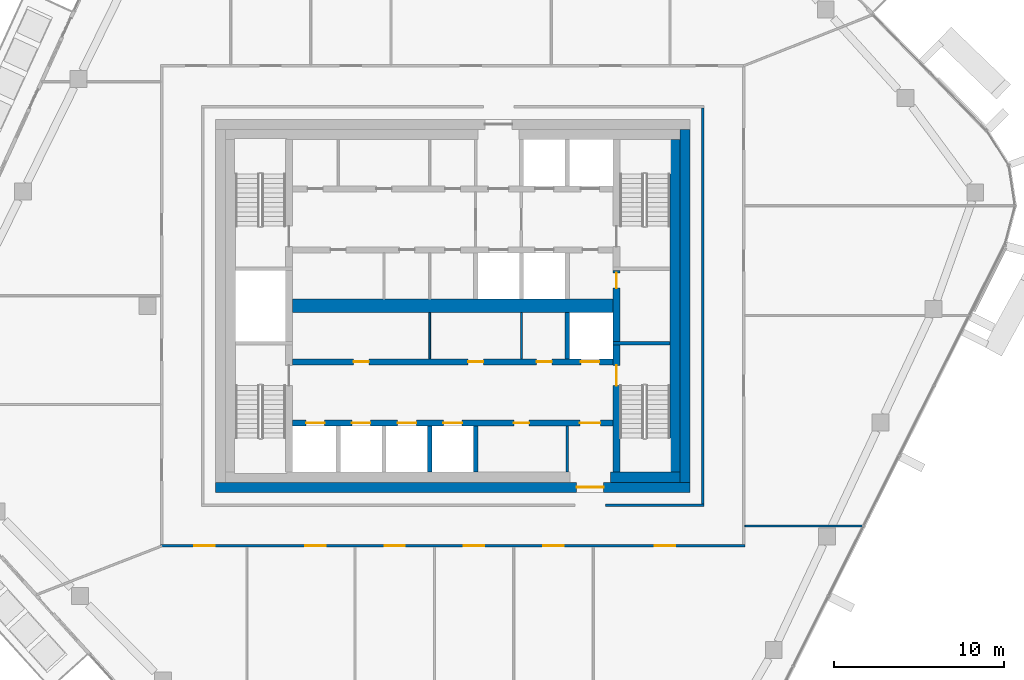
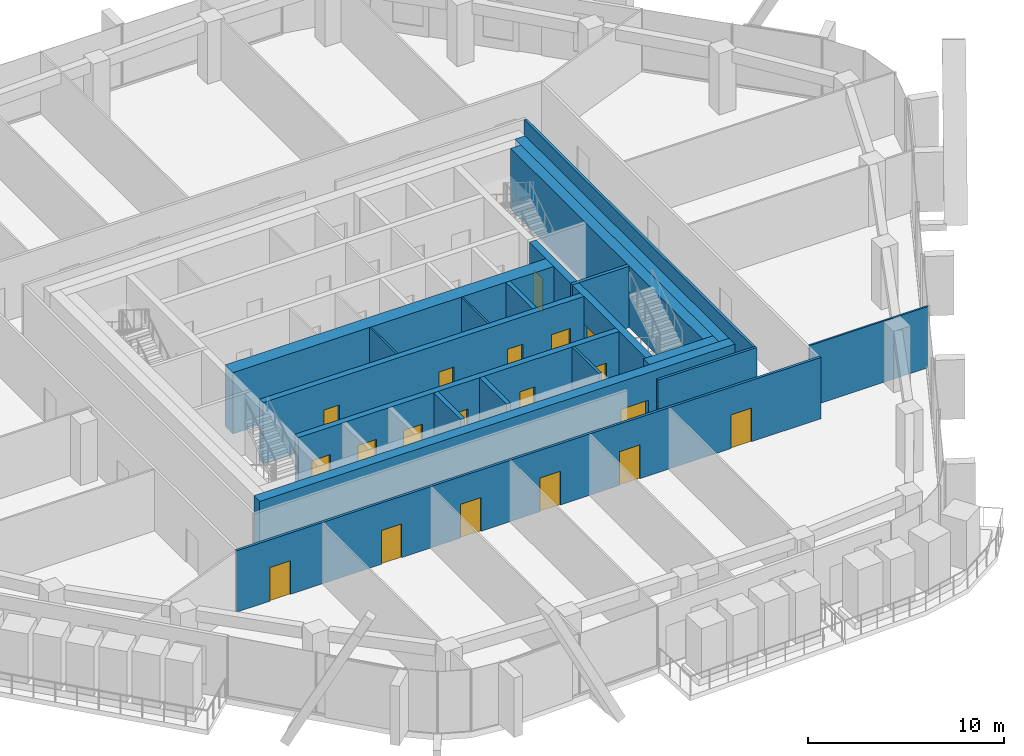
# One storey, part 14 of 24: 20 walls, 19 doors, 19 openings.
"""IFC4 building model written with IfcOpenShell, lengths in metres."""

from ifc_helpers import new_model, si_unit, direction, frame, frame_2d, origin, place, context, subcontext, project, spatial, rectangle, extrude, material, layer, layer_set, type_object, element, fill, save


model = new_model("IFC4")

# Units and contexts
model_context = context("Model", 3, precision=1e-05, world=origin(), true_north=direction((0.0, 1.0)))
body_context = subcontext(model_context, "Body", "Model", "MODEL_VIEW")
ifc_project = project(units=[si_unit("LENGTHUNIT", "METRE"), si_unit("AREAUNIT", "SQUARE_METRE"), si_unit("VOLUMEUNIT", "CUBIC_METRE"), si_unit("PLANEANGLEUNIT", "RADIAN"), si_unit("MASSUNIT", "GRAM", prefix="KILO")], contexts=[model_context])

# Site, building, storey
site_placement = place(None, origin())
site = spatial("IfcSite", under=ifc_project, at=site_placement, CompositionType="ELEMENT")
building_placement = place(site_placement, origin())
building = spatial("IfcBuilding", under=site, at=building_placement, Name="Dongbaek Canopy Tower", CompositionType="ELEMENT")
storey_placement = place(building_placement, frame((0.0, 0.0, 311.0)))
storey = spatial("IfcBuildingStorey", under=building, at=storey_placement, Name="L66", CompositionType="ELEMENT", Elevation=311.0)

# Wall
ifc_material_1 = material(Name="Concrete C60/75", Category="concrete")
ifc_layer_1 = layer(ifc_material_1, 0.800048828125)
ifc_layer_set_1 = layer_set([ifc_layer_1], Name="Core central wall 800 Concrete C60/75")
wall_type_1 = type_object("IfcWallType", Name="Core central wall 800 Concrete C60/75", PredefinedType="SHEAR", material=ifc_layer_set_1)
wall_1_placement = place(storey_placement, frame((-9.449951171875, 0.0, 0.0), z_axis=(0.0, 0.0, 1.0), x_axis=(1.0, 0.0, 0.0)))
element("IfcWall", 1, at=wall_1_placement, inside=storey, type_object=wall_type_1, Name="Core wall", PredefinedType="SHEAR", context=body_context, shape_type="SweptSolid", body=[
    extrude(rectangle(XDim=18.89990234375, YDim=0.800048828125, at=frame_2d((9.449951171875, 0.0))), origin(), (0.0, 0.0, 1.0), 3.820068359375),
])

# Wall, openings, doors
ifc_material_2 = material(Name="Concrete C60/75", Category="concrete")
ifc_layer_2 = layer(ifc_material_2, 0.35009765625)
ifc_layer_set_2 = layer_set([ifc_layer_2], Name="Core lobby wall 350 Concrete C60/75")
wall_type_2 = type_object("IfcWallType", Name="Core lobby wall 350 Concrete C60/75", PredefinedType="SHEAR", material=ifc_layer_set_2)
wall_2_placement = place(storey_placement, frame((-9.449951171875, -3.300048828125, 0.0), z_axis=(0.0, 0.0, 1.0), x_axis=(1.0, 0.0, 0.0)))
wall_2 = element("IfcWall", 2, at=wall_2_placement, inside=storey, type_object=wall_type_2, Name="Core wall", PredefinedType="SHEAR", context=body_context, shape_type="SweptSolid", body=[
    extrude(rectangle(XDim=18.89990234375, YDim=0.35009765625, at=frame_2d((9.449951171875, 0.0))), origin(), (0.0, 0.0, 1.0), 3.820068359375),
])
opening_1_placement = place(wall_2_placement, frame((17.0, 0.0, 0.0)))
opening_1 = element("IfcOpeningElement", 3, at=opening_1_placement, cuts=wall_2, Name="Opening L66-D027", PredefinedType="OPENING", context=body_context, shape_type="SweptSolid", body=[
    extrude(rectangle(XDim=1.10009765625, YDim=2.10009765625, at=frame_2d((0.550048828125, 1.050048828125))), frame((0.0, 0.18505859375, 0.0), z_axis=(0.0, -1.0, 0.0), x_axis=(1.0, 0.0, 0.0)), (0.0, 0.0, 1.0), 0.3701171875),
])
opening_2_placement = place(wall_2_placement, frame((3.60009765625, 0.0, 0.0)))
opening_2 = element("IfcOpeningElement", 4, at=opening_2_placement, cuts=wall_2, Name="Opening L66-D040", PredefinedType="OPENING", context=body_context, shape_type="SweptSolid", body=[
    extrude(rectangle(XDim=0.89990234375, YDim=2.10009765625, at=frame_2d((0.449951171875, 1.050048828125))), frame((0.0, 0.18505859375, 0.0), z_axis=(0.0, -1.0, 0.0), x_axis=(1.0, 0.0, 0.0)), (0.0, 0.0, 1.0), 0.3701171875),
])
opening_3_placement = place(wall_2_placement, frame((10.35009765625, 0.0, 0.0)))
opening_3 = element("IfcOpeningElement", 5, at=opening_3_placement, cuts=wall_2, Name="Opening L66-D041", PredefinedType="OPENING", context=body_context, shape_type="SweptSolid", body=[
    extrude(rectangle(XDim=0.89990234375, YDim=2.10009765625, at=frame_2d((0.449951171875, 1.050048828125))), frame((0.0, 0.18505859375, 0.0), z_axis=(0.0, -1.0, 0.0), x_axis=(1.0, 0.0, 0.0)), (0.0, 0.0, 1.0), 0.3701171875),
])
opening_4_placement = place(wall_2_placement, frame((14.39990234375, 0.0, 0.0)))
opening_4 = element("IfcOpeningElement", 6, at=opening_4_placement, cuts=wall_2, Name="Opening L66-D042", PredefinedType="OPENING", context=body_context, shape_type="SweptSolid", body=[
    extrude(rectangle(XDim=0.89990234375, YDim=2.10009765625, at=frame_2d((0.449951171875, 1.050048828125))), frame((0.0, 0.18505859375, 0.0), z_axis=(0.0, -1.0, 0.0), x_axis=(1.0, 0.0, 0.0)), (0.0, 0.0, 1.0), 0.3701171875),
])
ifc_material_3 = material(Name="Steel", Category="steel")
door_type_1 = type_object("IfcDoorType", Name="Core room door 900 x 2100", OperationType="SINGLE_SWING_LEFT", PredefinedType="DOOR", material=ifc_material_3)
door_1_placement = place(opening_2_placement, origin())
door_1 = element("IfcDoor", 7, at=door_1_placement, inside=storey, type_object=door_type_1, Name="Door L66-D040", OperationType="SINGLE_SWING_RIGHT", OverallHeight=2.10009765625, OverallWidth=0.89990234375, PredefinedType="DOOR", context=body_context, shape_type="SweptSolid", body=[
    extrude(rectangle(XDim=0.89990234375, YDim=2.10009765625, at=frame_2d((0.449951171875, 1.050048828125))), frame((0.0, 0.02490234375, 0.0), z_axis=(0.0, -1.0, 0.0), x_axis=(1.0, 0.0, 0.0)), (0.0, 0.0, 1.0), 0.050048828125),
])
fill(opening_2, door_1)
door_2_placement = place(opening_3_placement, origin())
door_2 = element("IfcDoor", 8, at=door_2_placement, inside=storey, type_object=door_type_1, Name="Door L66-D041", OperationType="SINGLE_SWING_LEFT", OverallHeight=2.10009765625, OverallWidth=0.89990234375, PredefinedType="DOOR", context=body_context, shape_type="SweptSolid", body=[
    extrude(rectangle(XDim=0.89990234375, YDim=2.10009765625, at=frame_2d((0.449951171875, 1.050048828125))), frame((0.0, 0.02490234375, 0.0), z_axis=(0.0, -1.0, 0.0), x_axis=(1.0, 0.0, 0.0)), (0.0, 0.0, 1.0), 0.050048828125),
])
fill(opening_3, door_2)
door_3_placement = place(opening_4_placement, origin())
door_3 = element("IfcDoor", 9, at=door_3_placement, inside=storey, type_object=door_type_1, Name="Door L66-D042", OperationType="SINGLE_SWING_RIGHT", OverallHeight=2.10009765625, OverallWidth=0.89990234375, PredefinedType="DOOR", context=body_context, shape_type="SweptSolid", body=[
    extrude(rectangle(XDim=0.89990234375, YDim=2.10009765625, at=frame_2d((0.449951171875, 1.050048828125))), frame((0.0, 0.02490234375, 0.0), z_axis=(0.0, -1.0, 0.0), x_axis=(1.0, 0.0, 0.0)), (0.0, 0.0, 1.0), 0.050048828125),
])
fill(opening_4, door_3)
ifc_material_4 = material(Name="Stainless steel", Category="steel")
door_type_2 = type_object("IfcDoorType", Name="Lift landing door 1100 x 2100", OperationType="DOUBLE_DOOR_SLIDING", PredefinedType="DOOR", material=ifc_material_4)
door_4_placement = place(opening_1_placement, origin())
door_4 = element("IfcDoor", 10, at=door_4_placement, inside=storey, type_object=door_type_2, Name="Landing door SV2", OperationType="DOUBLE_DOOR_SLIDING", OverallHeight=2.10009765625, OverallWidth=1.10009765625, PredefinedType="DOOR", context=body_context, shape_type="SweptSolid", body=[
    extrude(rectangle(XDim=1.10009765625, YDim=2.10009765625, at=frame_2d((0.550048828125, 1.050048828125))), frame((0.0, 0.02490234375, 0.0), z_axis=(0.0, -1.0, 0.0), x_axis=(1.0, 0.0, 0.0)), (0.0, 0.0, 1.0), 0.050048828125),
])
fill(opening_1, door_4)

wall_3_placement = place(storey_placement, frame((9.449951171875, -6.89990234375, 0.0), z_axis=(0.0, 0.0, 1.0), x_axis=(-1.0, 0.0, 0.0)))
wall_3 = element("IfcWall", 11, at=wall_3_placement, inside=storey, type_object=wall_type_2, Name="Core wall", PredefinedType="SHEAR", context=body_context, shape_type="SweptSolid", body=[
    extrude(rectangle(XDim=18.89990234375, YDim=0.35009765625, at=frame_2d((9.449951171875, 0.0))), origin(), (0.0, 0.0, 1.0), 3.820068359375),
])
opening_5_placement = place(wall_3_placement, frame((17.0, 0.0, 0.0)))
opening_5 = element("IfcOpeningElement", 12, at=opening_5_placement, cuts=wall_3, Name="Opening L66-D028", PredefinedType="OPENING", context=body_context, shape_type="SweptSolid", body=[
    extrude(rectangle(XDim=1.10009765625, YDim=2.10009765625, at=frame_2d((0.550048828125, 1.050048828125))), frame((0.0, 0.18505859375, 0.0), z_axis=(0.0, -1.0, 0.0), x_axis=(1.0, 0.0, 0.0)), (0.0, 0.0, 1.0), 0.3701171875),
])
opening_6_placement = place(wall_3_placement, frame((14.300048828125, 0.0, 0.0)))
opening_6 = element("IfcOpeningElement", 13, at=opening_6_placement, cuts=wall_3, Name="Opening L66-D029", PredefinedType="OPENING", context=body_context, shape_type="SweptSolid", body=[
    extrude(rectangle(XDim=1.10009765625, YDim=2.10009765625, at=frame_2d((0.550048828125, 1.050048828125))), frame((0.0, 0.18505859375, 0.0), z_axis=(0.0, -1.0, 0.0), x_axis=(1.0, 0.0, 0.0)), (0.0, 0.0, 1.0), 0.3701171875),
])
opening_7_placement = place(wall_3_placement, frame((11.60009765625, 0.0, 0.0)))
opening_7 = element("IfcOpeningElement", 14, at=opening_7_placement, cuts=wall_3, Name="Opening L66-D030", PredefinedType="OPENING", context=body_context, shape_type="SweptSolid", body=[
    extrude(rectangle(XDim=1.10009765625, YDim=2.10009765625, at=frame_2d((0.550048828125, 1.050048828125))), frame((0.0, 0.18505859375, 0.0), z_axis=(0.0, -1.0, 0.0), x_axis=(1.0, 0.0, 0.0)), (0.0, 0.0, 1.0), 0.3701171875),
])
opening_8_placement = place(wall_3_placement, frame((8.89990234375, 0.0, 0.0)))
opening_8 = element("IfcOpeningElement", 15, at=opening_8_placement, cuts=wall_3, Name="Opening L66-D031", PredefinedType="OPENING", context=body_context, shape_type="SweptSolid", body=[
    extrude(rectangle(XDim=1.10009765625, YDim=2.10009765625, at=frame_2d((0.550048828125, 1.050048828125))), frame((0.0, 0.18505859375, 0.0), z_axis=(0.0, -1.0, 0.0), x_axis=(1.0, 0.0, 0.0)), (0.0, 0.0, 1.0), 0.3701171875),
])
opening_9_placement = place(wall_3_placement, frame((0.75, 0.0, 0.0)))
opening_9 = element("IfcOpeningElement", 16, at=opening_9_placement, cuts=wall_3, Name="Opening L66-D033", PredefinedType="OPENING", context=body_context, shape_type="SweptSolid", body=[
    extrude(rectangle(XDim=1.199951171875, YDim=2.10009765625, at=frame_2d((0.60009765625, 1.050048828125))), frame((0.0, 0.18505859375, 0.0), z_axis=(0.0, -1.0, 0.0), x_axis=(1.0, 0.0, 0.0)), (0.0, 0.0, 1.0), 0.3701171875),
])
opening_10_placement = place(wall_3_placement, frame((4.949951171875, 0.0, 0.0)))
opening_10 = element("IfcOpeningElement", 17, at=opening_10_placement, cuts=wall_3, Name="Opening L66-D043", PredefinedType="OPENING", context=body_context, shape_type="SweptSolid", body=[
    extrude(rectangle(XDim=0.89990234375, YDim=2.10009765625, at=frame_2d((0.449951171875, 1.050048828125))), frame((0.0, 0.18505859375, 0.0), z_axis=(0.0, -1.0, 0.0), x_axis=(1.0, 0.0, 0.0)), (0.0, 0.0, 1.0), 0.3701171875),
])
door_5_placement = place(opening_10_placement, origin())
door_5 = element("IfcDoor", 18, at=door_5_placement, inside=storey, type_object=door_type_1, Name="Door L66-D043", OperationType="SINGLE_SWING_LEFT", OverallHeight=2.10009765625, OverallWidth=0.89990234375, PredefinedType="DOOR", context=body_context, shape_type="SweptSolid", body=[
    extrude(rectangle(XDim=0.89990234375, YDim=2.10009765625, at=frame_2d((0.449951171875, 1.050048828125))), frame((0.0, 0.02490234375, 0.0), z_axis=(0.0, -1.0, 0.0), x_axis=(1.0, 0.0, 0.0)), (0.0, 0.0, 1.0), 0.050048828125),
])
fill(opening_10, door_5)
ifc_material_5 = material(Name="Steel", Category="steel")
door_type_3 = type_object("IfcDoorType", Name="Fire lobby door 1200 x 2100", OperationType="SINGLE_SWING_LEFT", PredefinedType="DOOR", material=ifc_material_5)
door_6_placement = place(opening_9_placement, origin())
door_6 = element("IfcDoor", 19, at=door_6_placement, inside=storey, type_object=door_type_3, Name="Door L66-D033", OperationType="SINGLE_SWING_LEFT", OverallHeight=2.10009765625, OverallWidth=1.199951171875, PredefinedType="DOOR", context=body_context, shape_type="SweptSolid", body=[
    extrude(rectangle(XDim=1.199951171875, YDim=2.10009765625, at=frame_2d((0.60009765625, 1.050048828125))), frame((0.0, 0.02490234375, 0.0), z_axis=(0.0, -1.0, 0.0), x_axis=(1.0, 0.0, 0.0)), (0.0, 0.0, 1.0), 0.050048828125),
])
fill(opening_9, door_6)
door_7_placement = place(opening_5_placement, origin())
door_7 = element("IfcDoor", 20, at=door_7_placement, inside=storey, type_object=door_type_2, Name="Landing door HR1", OperationType="DOUBLE_DOOR_SLIDING", OverallHeight=2.10009765625, OverallWidth=1.10009765625, PredefinedType="DOOR", context=body_context, shape_type="SweptSolid", body=[
    extrude(rectangle(XDim=1.10009765625, YDim=2.10009765625, at=frame_2d((0.550048828125, 1.050048828125))), frame((0.0, 0.02490234375, 0.0), z_axis=(0.0, -1.0, 0.0), x_axis=(1.0, 0.0, 0.0)), (0.0, 0.0, 1.0), 0.050048828125),
])
fill(opening_5, door_7)
door_8_placement = place(opening_6_placement, origin())
door_8 = element("IfcDoor", 21, at=door_8_placement, inside=storey, type_object=door_type_2, Name="Landing door HR2", OperationType="DOUBLE_DOOR_SLIDING", OverallHeight=2.10009765625, OverallWidth=1.10009765625, PredefinedType="DOOR", context=body_context, shape_type="SweptSolid", body=[
    extrude(rectangle(XDim=1.10009765625, YDim=2.10009765625, at=frame_2d((0.550048828125, 1.050048828125))), frame((0.0, 0.02490234375, 0.0), z_axis=(0.0, -1.0, 0.0), x_axis=(1.0, 0.0, 0.0)), (0.0, 0.0, 1.0), 0.050048828125),
])
fill(opening_6, door_8)
door_9_placement = place(opening_7_placement, origin())
door_9 = element("IfcDoor", 22, at=door_9_placement, inside=storey, type_object=door_type_2, Name="Landing door HR3", OperationType="DOUBLE_DOOR_SLIDING", OverallHeight=2.10009765625, OverallWidth=1.10009765625, PredefinedType="DOOR", context=body_context, shape_type="SweptSolid", body=[
    extrude(rectangle(XDim=1.10009765625, YDim=2.10009765625, at=frame_2d((0.550048828125, 1.050048828125))), frame((0.0, 0.02490234375, 0.0), z_axis=(0.0, -1.0, 0.0), x_axis=(1.0, 0.0, 0.0)), (0.0, 0.0, 1.0), 0.050048828125),
])
fill(opening_7, door_9)
door_10_placement = place(opening_8_placement, origin())
door_10 = element("IfcDoor", 23, at=door_10_placement, inside=storey, type_object=door_type_2, Name="Landing door HR4", OperationType="DOUBLE_DOOR_SLIDING", OverallHeight=2.10009765625, OverallWidth=1.10009765625, PredefinedType="DOOR", context=body_context, shape_type="SweptSolid", body=[
    extrude(rectangle(XDim=1.10009765625, YDim=2.10009765625, at=frame_2d((0.550048828125, 1.050048828125))), frame((0.0, 0.02490234375, 0.0), z_axis=(0.0, -1.0, 0.0), x_axis=(1.0, 0.0, 0.0)), (0.0, 0.0, 1.0), 0.050048828125),
])
fill(opening_8, door_10)

# Wall, opening, door
ifc_material_6 = material(Name="Concrete C80/95", Category="concrete")
ifc_layer_3 = layer(ifc_material_6, 0.60009765625)
ifc_layer_set_3 = layer_set([ifc_layer_3], Name="Core outer wall 600 Concrete C80/95")
wall_type_3 = type_object("IfcWallType", Name="Core outer wall 600 Concrete C80/95", PredefinedType="SHEAR", material=ifc_layer_set_3)
wall_4_placement = place(storey_placement, frame((14.0, -10.699951171875, 0.0), z_axis=(0.0, 0.0, 1.0), x_axis=(-1.0, 0.0, 0.0)))
wall_4 = element("IfcWall", 24, at=wall_4_placement, inside=storey, type_object=wall_type_3, Name="Core wall", PredefinedType="SHEAR", context=body_context, shape_type="SweptSolid", body=[
    extrude(rectangle(XDim=28.0, YDim=0.60009765625, at=frame_2d((14.0, 0.0))), origin(), (0.0, 0.0, 1.0), 3.820068359375),
])
opening_11_placement = place(wall_4_placement, frame((5.10009765625, 0.0, 0.0)))
opening_11 = element("IfcOpeningElement", 25, at=opening_11_placement, cuts=wall_4, Name="Opening L66-D032", PredefinedType="OPENING", context=body_context, shape_type="SweptSolid", body=[
    extrude(rectangle(XDim=1.60009765625, YDim=2.10009765625, at=frame_2d((0.800048828125, 1.050048828125))), frame((0.0, 0.31005859375, 0.0), z_axis=(0.0, -1.0, 0.0), x_axis=(1.0, 0.0, 0.0)), (0.0, 0.0, 1.0), 0.6201171875),
])
ifc_material_7 = material(Name="Steel", Category="steel")
door_type_4 = type_object("IfcDoorType", Name="Core exit door 1600 x 2100", OperationType="DOUBLE_DOOR_SINGLE_SWING", PredefinedType="DOOR", material=ifc_material_7)
door_11_placement = place(opening_11_placement, origin())
door_11 = element("IfcDoor", 26, at=door_11_placement, inside=storey, type_object=door_type_4, Name="Core exit door", OperationType="DOUBLE_DOOR_SINGLE_SWING", OverallHeight=2.10009765625, OverallWidth=1.60009765625, PredefinedType="DOOR", context=body_context, shape_type="SweptSolid", body=[
    extrude(rectangle(XDim=1.60009765625, YDim=2.10009765625, at=frame_2d((0.800048828125, 1.050048828125))), frame((0.0, 0.02490234375, 0.0), z_axis=(0.0, -1.0, 0.0), x_axis=(1.0, 0.0, 0.0)), (0.0, 0.0, 1.0), 0.050048828125),
])
fill(opening_11, door_11)

# Walls
wall_5_placement = place(storey_placement, frame((13.699951171875, 10.39990234375, 0.0), z_axis=(0.0, 0.0, 1.0), x_axis=(0.0, -1.0, 0.0)))
element("IfcWall", 27, at=wall_5_placement, inside=storey, type_object=wall_type_3, Name="Core wall", PredefinedType="SHEAR", context=body_context, shape_type="SweptSolid", body=[
    extrude(rectangle(XDim=20.7998046875, YDim=0.60009765625, at=frame_2d((10.39990234375, 0.0))), origin(), (0.0, 0.0, 1.0), 3.820068359375),
])
ifc_material_8 = material(Name="Concrete C60/75", Category="concrete")
ifc_layer_4 = layer(ifc_material_8, 0.60009765625)
ifc_layer_set_4 = layer_set([ifc_layer_4], Name="Core wall lining 600 Concrete C60/75")
wall_type_4 = type_object("IfcWallType", Name="Core wall lining 600 Concrete C60/75", PredefinedType="SHEAR", material=ifc_layer_set_4)
wall_6_placement = place(storey_placement, frame((13.39990234375, -10.10009765625, 0.0), z_axis=(0.0, 0.0, 1.0), x_axis=(-1.0, 0.0, 0.0)))
element("IfcWall", 28, at=wall_6_placement, inside=storey, type_object=wall_type_4, Name="Core wall lining", PredefinedType="SHEAR", context=body_context, shape_type="SweptSolid", body=[
    extrude(rectangle(XDim=4.099853515625, YDim=0.60009765625, at=frame_2d((2.0498046875, 0.0))), origin(), (0.0, 0.0, 1.0), 3.820068359375),
])
wall_7_placement = place(storey_placement, frame((13.10009765625, 9.800048828125, 0.0), z_axis=(0.0, 0.0, 1.0), x_axis=(0.0, -1.0, 0.0)))
element("IfcWall", 29, at=wall_7_placement, inside=storey, type_object=wall_type_4, Name="Core wall lining", PredefinedType="SHEAR", context=body_context, shape_type="SweptSolid", body=[
    extrude(rectangle(XDim=19.60009765625, YDim=0.60009765625, at=frame_2d((9.800048828125, 0.0))), origin(), (0.0, 0.0, 1.0), 3.820068359375),
])

# Wall, openings, doors
ifc_material_9 = material(Name="Gypsum board partition, steel stud, 2 x 15 mm fire board", Category="steel")
ifc_layer_5 = layer(ifc_material_9, 0.14990234375)
ifc_layer_set_5 = layer_set([ifc_layer_5], Name="Fire-rated partition 150 gypsum board")
wall_type_5 = type_object("IfcWallType", Name="Fire-rated partition 150 gypsum board", PredefinedType="PARTITIONING", material=ifc_layer_set_5)
wall_8_placement = place(storey_placement, frame((17.22509765625, -14.14990234375, 0.0), z_axis=(0.0, 0.0, 1.0), x_axis=(-1.0, 0.0, 0.0)))
wall_8 = element("IfcWall", 30, at=wall_8_placement, inside=storey, type_object=wall_type_5, Name="Corridor partition", PredefinedType="PARTITIONING", context=body_context, shape_type="SweptSolid", body=[
    extrude(rectangle(XDim=34.4501953125, YDim=0.14990234375, at=frame_2d((17.22509765625, 0.0))), origin(), (0.0, 0.0, 1.0), 3.820068359375),
])
opening_12_placement = place(wall_8_placement, frame((31.268798828125, 0.0, 0.0)))
opening_12 = element("IfcOpeningElement", 31, at=opening_12_placement, cuts=wall_8, Name="Opening L66-D003", PredefinedType="OPENING", context=body_context, shape_type="SweptSolid", body=[
    extrude(rectangle(XDim=1.199951171875, YDim=2.10009765625, at=frame_2d((0.60009765625, 1.050048828125))), frame((0.0, 0.0849609375, 0.0), z_axis=(0.0, -1.0, 0.0), x_axis=(1.0, 0.0, 0.0)), (0.0, 0.0, 1.0), 0.169921875),
])
opening_13_placement = place(wall_8_placement, frame((24.71923828125, 0.0, 0.0)))
opening_13 = element("IfcOpeningElement", 32, at=opening_13_placement, cuts=wall_8, Name="Opening L66-D004", PredefinedType="OPENING", context=body_context, shape_type="SweptSolid", body=[
    extrude(rectangle(XDim=1.199951171875, YDim=2.10009765625, at=frame_2d((0.60009765625, 1.050048828125))), frame((0.0, 0.0849609375, 0.0), z_axis=(0.0, -1.0, 0.0), x_axis=(1.0, 0.0, 0.0)), (0.0, 0.0, 1.0), 0.169921875),
])
opening_14_placement = place(wall_8_placement, frame((20.043701171875, 0.0, 0.0)))
opening_14 = element("IfcOpeningElement", 33, at=opening_14_placement, cuts=wall_8, Name="Opening L66-D005", PredefinedType="OPENING", context=body_context, shape_type="SweptSolid", body=[
    extrude(rectangle(XDim=1.199951171875, YDim=2.10009765625, at=frame_2d((0.60009765625, 1.050048828125))), frame((0.0, 0.0849609375, 0.0), z_axis=(0.0, -1.0, 0.0), x_axis=(1.0, 0.0, 0.0)), (0.0, 0.0, 1.0), 0.169921875),
])
opening_15_placement = place(wall_8_placement, frame((15.3642578125, 0.0, 0.0)))
opening_15 = element("IfcOpeningElement", 34, at=opening_15_placement, cuts=wall_8, Name="Opening L66-D006", PredefinedType="OPENING", context=body_context, shape_type="SweptSolid", body=[
    extrude(rectangle(XDim=1.199951171875, YDim=2.10009765625, at=frame_2d((0.60009765625, 1.050048828125))), frame((0.0, 0.0849609375, 0.0), z_axis=(0.0, -1.0, 0.0), x_axis=(1.0, 0.0, 0.0)), (0.0, 0.0, 1.0), 0.169921875),
])
opening_16_placement = place(wall_8_placement, frame((10.68505859375, 0.0, 0.0)))
opening_16 = element("IfcOpeningElement", 35, at=opening_16_placement, cuts=wall_8, Name="Opening L66-D007", PredefinedType="OPENING", context=body_context, shape_type="SweptSolid", body=[
    extrude(rectangle(XDim=1.199951171875, YDim=2.10009765625, at=frame_2d((0.60009765625, 1.050048828125))), frame((0.0, 0.0849609375, 0.0), z_axis=(0.0, -1.0, 0.0), x_axis=(1.0, 0.0, 0.0)), (0.0, 0.0, 1.0), 0.169921875),
])
opening_17_placement = place(wall_8_placement, frame((4.107421875, 0.0, 0.0)))
opening_17 = element("IfcOpeningElement", 36, at=opening_17_placement, cuts=wall_8, Name="Opening L66-D008", PredefinedType="OPENING", context=body_context, shape_type="SweptSolid", body=[
    extrude(rectangle(XDim=1.199951171875, YDim=2.10009765625, at=frame_2d((0.60009765625, 1.050048828125))), frame((0.0, 0.0849609375, 0.0), z_axis=(0.0, -1.0, 0.0), x_axis=(1.0, 0.0, 0.0)), (0.0, 0.0, 1.0), 0.169921875),
])
ifc_material_10 = material(Name="Timber veneered door leaf", Category="wood")
door_type_5 = type_object("IfcDoorType", Name="Room door 1200 x 2100", OperationType="SINGLE_SWING_LEFT", PredefinedType="DOOR", material=ifc_material_10)
door_12_placement = place(opening_12_placement, origin())
door_12 = element("IfcDoor", 37, at=door_12_placement, inside=storey, type_object=door_type_5, Name="Door L66-D003", OperationType="SINGLE_SWING_RIGHT", OverallHeight=2.10009765625, OverallWidth=1.199951171875, PredefinedType="DOOR", context=body_context, shape_type="SweptSolid", body=[
    extrude(rectangle(XDim=1.199951171875, YDim=2.10009765625, at=frame_2d((0.60009765625, 1.050048828125))), frame((0.0, 0.02490234375, 0.0), z_axis=(0.0, -1.0, 0.0), x_axis=(1.0, 0.0, 0.0)), (0.0, 0.0, 1.0), 0.050048828125),
])
fill(opening_12, door_12)
door_13_placement = place(opening_13_placement, origin())
door_13 = element("IfcDoor", 38, at=door_13_placement, inside=storey, type_object=door_type_5, Name="Door L66-D004", OperationType="SINGLE_SWING_LEFT", OverallHeight=2.10009765625, OverallWidth=1.199951171875, PredefinedType="DOOR", context=body_context, shape_type="SweptSolid", body=[
    extrude(rectangle(XDim=1.199951171875, YDim=2.10009765625, at=frame_2d((0.60009765625, 1.050048828125))), frame((0.0, 0.02490234375, 0.0), z_axis=(0.0, -1.0, 0.0), x_axis=(1.0, 0.0, 0.0)), (0.0, 0.0, 1.0), 0.050048828125),
])
fill(opening_13, door_13)
door_14_placement = place(opening_14_placement, origin())
door_14 = element("IfcDoor", 39, at=door_14_placement, inside=storey, type_object=door_type_5, Name="Door L66-D005", OperationType="SINGLE_SWING_RIGHT", OverallHeight=2.10009765625, OverallWidth=1.199951171875, PredefinedType="DOOR", context=body_context, shape_type="SweptSolid", body=[
    extrude(rectangle(XDim=1.199951171875, YDim=2.10009765625, at=frame_2d((0.60009765625, 1.050048828125))), frame((0.0, 0.02490234375, 0.0), z_axis=(0.0, -1.0, 0.0), x_axis=(1.0, 0.0, 0.0)), (0.0, 0.0, 1.0), 0.050048828125),
])
fill(opening_14, door_14)
door_15_placement = place(opening_15_placement, origin())
door_15 = element("IfcDoor", 40, at=door_15_placement, inside=storey, type_object=door_type_5, Name="Door L66-D006", OperationType="SINGLE_SWING_LEFT", OverallHeight=2.10009765625, OverallWidth=1.199951171875, PredefinedType="DOOR", context=body_context, shape_type="SweptSolid", body=[
    extrude(rectangle(XDim=1.199951171875, YDim=2.10009765625, at=frame_2d((0.60009765625, 1.050048828125))), frame((0.0, 0.02490234375, 0.0), z_axis=(0.0, -1.0, 0.0), x_axis=(1.0, 0.0, 0.0)), (0.0, 0.0, 1.0), 0.050048828125),
])
fill(opening_15, door_15)
door_16_placement = place(opening_16_placement, origin())
door_16 = element("IfcDoor", 41, at=door_16_placement, inside=storey, type_object=door_type_5, Name="Door L66-D007", OperationType="SINGLE_SWING_RIGHT", OverallHeight=2.10009765625, OverallWidth=1.199951171875, PredefinedType="DOOR", context=body_context, shape_type="SweptSolid", body=[
    extrude(rectangle(XDim=1.199951171875, YDim=2.10009765625, at=frame_2d((0.60009765625, 1.050048828125))), frame((0.0, 0.02490234375, 0.0), z_axis=(0.0, -1.0, 0.0), x_axis=(1.0, 0.0, 0.0)), (0.0, 0.0, 1.0), 0.050048828125),
])
fill(opening_16, door_16)
door_17_placement = place(opening_17_placement, origin())
door_17 = element("IfcDoor", 42, at=door_17_placement, inside=storey, type_object=door_type_5, Name="Door L66-D008", OperationType="SINGLE_SWING_LEFT", OverallHeight=2.10009765625, OverallWidth=1.199951171875, PredefinedType="DOOR", context=body_context, shape_type="SweptSolid", body=[
    extrude(rectangle(XDim=1.199951171875, YDim=2.10009765625, at=frame_2d((0.60009765625, 1.050048828125))), frame((0.0, 0.02490234375, 0.0), z_axis=(0.0, -1.0, 0.0), x_axis=(1.0, 0.0, 0.0)), (0.0, 0.0, 1.0), 0.050048828125),
])
fill(opening_17, door_17)

# Walls
wall_9_placement = place(storey_placement, frame((9.0, -11.75, 0.0), z_axis=(0.0, 0.0, 1.0), x_axis=(1.0, 0.0, 0.0)))
element("IfcWall", 43, at=wall_9_placement, inside=storey, type_object=wall_type_5, Name="Corridor partition", PredefinedType="PARTITIONING", context=body_context, shape_type="SweptSolid", body=[
    extrude(rectangle(XDim=5.824951171875, YDim=0.14990234375, at=frame_2d((2.91259765625, 0.0))), origin(), (0.0, 0.0, 1.0), 3.820068359375),
])
wall_10_placement = place(storey_placement, frame((14.75, -11.675048828125, 0.0), z_axis=(0.0, 0.0, 1.0), x_axis=(0.0, 1.0, 0.0)))
element("IfcWall", 44, at=wall_10_placement, inside=storey, type_object=wall_type_5, Name="Corridor partition", PredefinedType="PARTITIONING", context=body_context, shape_type="SweptSolid", body=[
    extrude(rectangle(XDim=23.35009765625, YDim=0.14990234375, at=frame_2d((11.675048828125, 0.0))), origin(), (0.0, 0.0, 1.0), 3.820068359375),
])
wall_11_placement = place(storey_placement, frame((6.75, -9.800048828125, 0.0), z_axis=(0.0, 0.0, 1.0), x_axis=(0.0, 1.0, 0.0)))
element("IfcWall", 45, at=wall_11_placement, inside=storey, type_object=wall_type_5, Name="Fire lobby partition", PredefinedType="PARTITIONING", context=body_context, shape_type="SweptSolid", body=[
    extrude(rectangle(XDim=2.72509765625, YDim=0.14990234375, at=frame_2d((1.362548828125, 0.0))), origin(), (0.0, 0.0, 1.0), 3.820068359375),
])
ifc_material_11 = material(Name="Concrete C40/50", Category="concrete")
ifc_layer_6 = layer(ifc_material_11, 0.25)
ifc_layer_set_6 = layer_set([ifc_layer_6], Name="Lift shaft wall 250 Concrete C40/50")
wall_type_6 = type_object("IfcWallType", Name="Lift shaft wall 250 Concrete C40/50", PredefinedType="SOLIDWALL", material=ifc_layer_set_6)
for number, where, z_axis, x_axis, name in (
    (46, (6.75, -3.125, 0.0), (0.0, 0.0, 1.0), (0.0, 1.0, 0.0), "Lift shaft wall"),
    (47, (1.35009765625, -9.800048828125, 0.0), (0.0, 0.0, 1.0), (0.0, 1.0, 0.0), "Lift shaft wall"),
    (48, (-1.35009765625, -9.800048828125, 0.0), (0.0, 0.0, 1.0), (0.0, 1.0, 0.0), "Lift shaft wall"),
):
    element("IfcWall", number, at=place(storey_placement, frame(where, z_axis=z_axis, x_axis=x_axis)), inside=storey, type_object=wall_type_6, Name=name, PredefinedType="SOLIDWALL", context=body_context, shape_type="SweptSolid", body=[
        extrude(rectangle(XDim=2.72509765625, YDim=0.25, at=frame_2d((1.362548828125, 0.0))), origin(), (0.0, 0.0, 1.0), 3.820068359375),
    ])
ifc_material_12 = material(Name="Gypsum board partition, steel stud, 2 x 12.5 mm board", Category="steel")
ifc_layer_7 = layer(ifc_material_12, 0.10009765625)
ifc_layer_set_7 = layer_set([ifc_layer_7], Name="Partition 100 gypsum board")
wall_type_7 = type_object("IfcWallType", Name="Partition 100 gypsum board", PredefinedType="PARTITIONING", material=ifc_layer_set_7)
wall_12_placement = place(storey_placement, frame((17.22509765625, -12.97509765625, 0.0), z_axis=(0.0, 0.0, 1.0), x_axis=(1.0, 0.0, 0.0)))
element("IfcWall", 49, at=wall_12_placement, inside=storey, type_object=wall_type_7, Name="Partition", PredefinedType="PARTITIONING", context=body_context, shape_type="SweptSolid", body=[
    extrude(rectangle(XDim=6.98681640625, YDim=0.10009765625, at=frame_2d((3.493408203125, 0.0))), origin(), (0.0, 0.0, 1.0), 3.820068359375),
])
for number, where, z_axis, x_axis, name in (
    (50, (4.050048828125, -3.125, 0.0), (0.0, 0.0, 1.0), (0.0, 1.0, 0.0), "Core partition"),
    (51, (-1.35009765625, -3.125, 0.0), (0.0, 0.0, 1.0), (0.0, 1.0, 0.0), "Core partition"),
):
    element("IfcWall", number, at=place(storey_placement, frame(where, z_axis=z_axis, x_axis=x_axis)), inside=storey, type_object=wall_type_7, Name=name, PredefinedType="PARTITIONING", context=body_context, shape_type="SweptSolid", body=[
        extrude(rectangle(XDim=2.72509765625, YDim=0.10009765625, at=frame_2d((1.362548828125, 0.0))), origin(), (0.0, 0.0, 1.0), 3.820068359375),
    ])
ifc_material_13 = material(Name="Concrete C60/75", Category="concrete")
ifc_layer_8 = layer(ifc_material_13, 0.199951171875)
ifc_layer_set_8 = layer_set([ifc_layer_8], Name="Riser wall 200 Concrete C60/75")
wall_type_8 = type_object("IfcWallType", Name="Riser wall 200 Concrete C60/75", PredefinedType="SHEAR", material=ifc_layer_set_8)
wall_13_placement = place(storey_placement, frame((9.449951171875, -2.199951171875, 0.0), z_axis=(0.0, 0.0, 1.0), x_axis=(1.0, 0.0, 0.0)))
element("IfcWall", 52, at=wall_13_placement, inside=storey, type_object=wall_type_8, Name="Riser wall", PredefinedType="SHEAR", context=body_context, shape_type="SweptSolid", body=[
    extrude(rectangle(XDim=3.35009765625, YDim=0.199951171875, at=frame_2d((1.675048828125, 0.0))), origin(), (0.0, 0.0, 1.0), 3.820068359375),
])

# Wall, opening, door
ifc_material_14 = material(Name="Concrete C60/75", Category="concrete")
ifc_layer_9 = layer(ifc_material_14, 0.39990234375)
ifc_layer_set_9 = layer_set([ifc_layer_9], Name="Stair wall 400 Concrete C60/75")
wall_type_9 = type_object("IfcWallType", Name="Stair wall 400 Concrete C60/75", PredefinedType="SHEAR", material=ifc_layer_set_9)
wall_14_placement = place(storey_placement, frame((9.64990234375, -2.300048828125, 0.0), z_axis=(0.0, 0.0, 1.0), x_axis=(0.0, -1.0, 0.0)))
wall_14 = element("IfcWall", 53, at=wall_14_placement, inside=storey, type_object=wall_type_9, Name="Stair wall", PredefinedType="SHEAR", context=body_context, shape_type="SweptSolid", body=[
    extrude(rectangle(XDim=7.5, YDim=0.39990234375, at=frame_2d((3.75, 0.0))), origin(), (0.0, 0.0, 1.0), 3.820068359375),
])
opening_18_placement = place(wall_14_placement, frame((1.199951171875, 0.0, 0.0)))
opening_18 = element("IfcOpeningElement", 54, at=opening_18_placement, cuts=wall_14, Name="Opening L66-D046", PredefinedType="OPENING", context=body_context, shape_type="SweptSolid", body=[
    extrude(rectangle(XDim=1.199951171875, YDim=2.10009765625, at=frame_2d((0.60009765625, 1.050048828125))), frame((0.0, 0.2099609375, 0.0), z_axis=(0.0, -1.0, 0.0), x_axis=(1.0, 0.0, 0.0)), (0.0, 0.0, 1.0), 0.419921875),
])
ifc_material_15 = material(Name="Steel", Category="steel")
door_type_6 = type_object("IfcDoorType", Name="Stair door 1200 x 2100", OperationType="SINGLE_SWING_LEFT", PredefinedType="DOOR", material=ifc_material_15)
door_18_placement = place(opening_18_placement, origin())
door_18 = element("IfcDoor", 55, at=door_18_placement, inside=storey, type_object=door_type_6, Name="Stair B door", OperationType="SINGLE_SWING_RIGHT", OverallHeight=2.10009765625, OverallWidth=1.199951171875, PredefinedType="DOOR", context=body_context, shape_type="SweptSolid", body=[
    extrude(rectangle(XDim=1.199951171875, YDim=2.10009765625, at=frame_2d((0.60009765625, 1.050048828125))), frame((0.0, 0.02490234375, 0.0), z_axis=(0.0, -1.0, 0.0), x_axis=(1.0, 0.0, 0.0)), (0.0, 0.0, 1.0), 0.050048828125),
])
fill(opening_18, door_18)

wall_15_placement = place(storey_placement, frame((9.64990234375, 2.10009765625, 0.0), z_axis=(0.0, 0.0, 1.0), x_axis=(0.0, -1.0, 0.0)))
wall_15 = element("IfcWall", 56, at=wall_15_placement, inside=storey, type_object=wall_type_9, Name="Stair wall", PredefinedType="SHEAR", context=body_context, shape_type="SweptSolid", body=[
    extrude(rectangle(XDim=4.2001953125, YDim=0.39990234375, at=frame_2d((2.10009765625, 0.0))), origin(), (0.0, 0.0, 1.0), 3.820068359375),
])
opening_19_placement = place(wall_15_placement, frame((0.14990234375, 0.0, 0.0)))
opening_19 = element("IfcOpeningElement", 57, at=opening_19_placement, cuts=wall_15, Name="Opening L66-D019", PredefinedType="OPENING", context=body_context, shape_type="SweptSolid", body=[
    extrude(rectangle(XDim=0.89990234375, YDim=2.10009765625, at=frame_2d((0.449951171875, 1.050048828125))), frame((0.0, 0.2099609375, 0.0), z_axis=(0.0, -1.0, 0.0), x_axis=(1.0, 0.0, 0.0)), (0.0, 0.0, 1.0), 0.419921875),
])
door_19_placement = place(opening_19_placement, origin())
door_19 = element("IfcDoor", 58, at=door_19_placement, inside=storey, type_object=door_type_1, Name="Door L66-D019", OperationType="SINGLE_SWING_RIGHT", OverallHeight=2.10009765625, OverallWidth=0.89990234375, PredefinedType="DOOR", context=body_context, shape_type="SweptSolid", body=[
    extrude(rectangle(XDim=0.89990234375, YDim=2.10009765625, at=frame_2d((0.449951171875, 1.050048828125))), frame((0.0, 0.02490234375, 0.0), z_axis=(0.0, -1.0, 0.0), x_axis=(1.0, 0.0, 0.0)), (0.0, 0.0, 1.0), 0.050048828125),
])
fill(opening_19, door_19)

save(model, "model.ifc")
